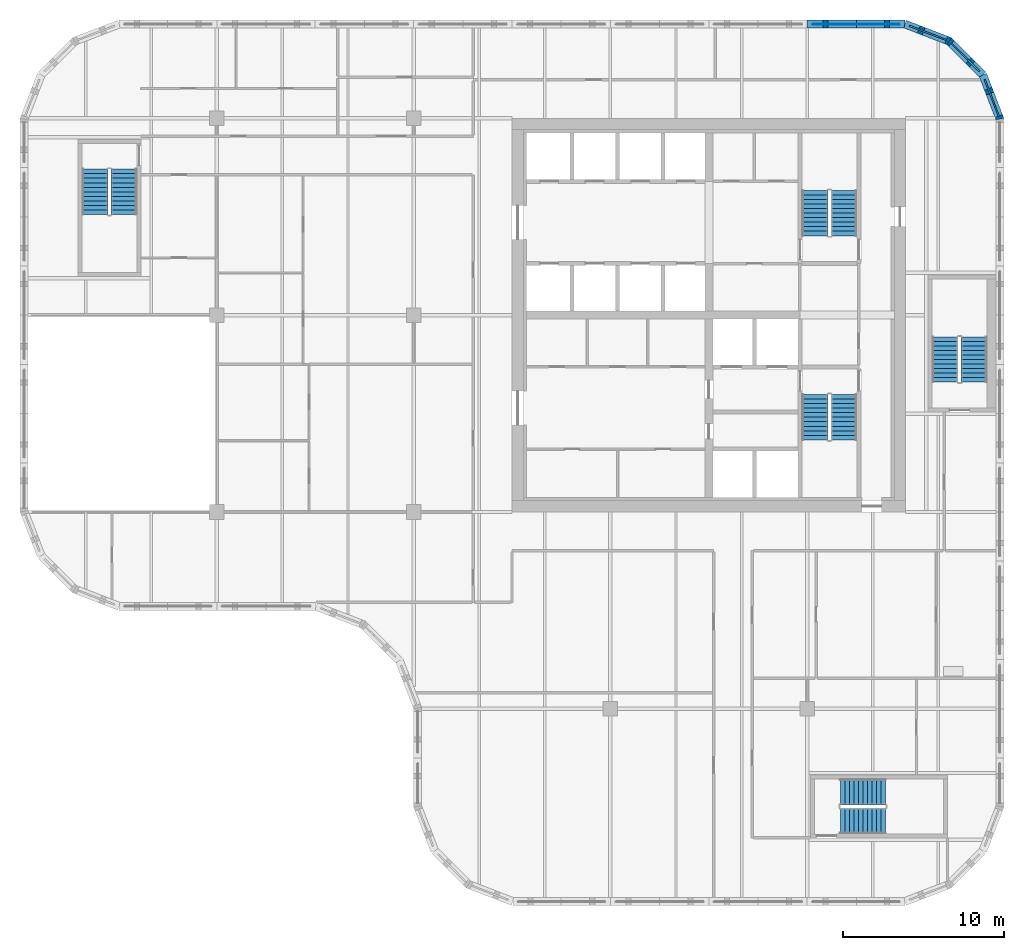
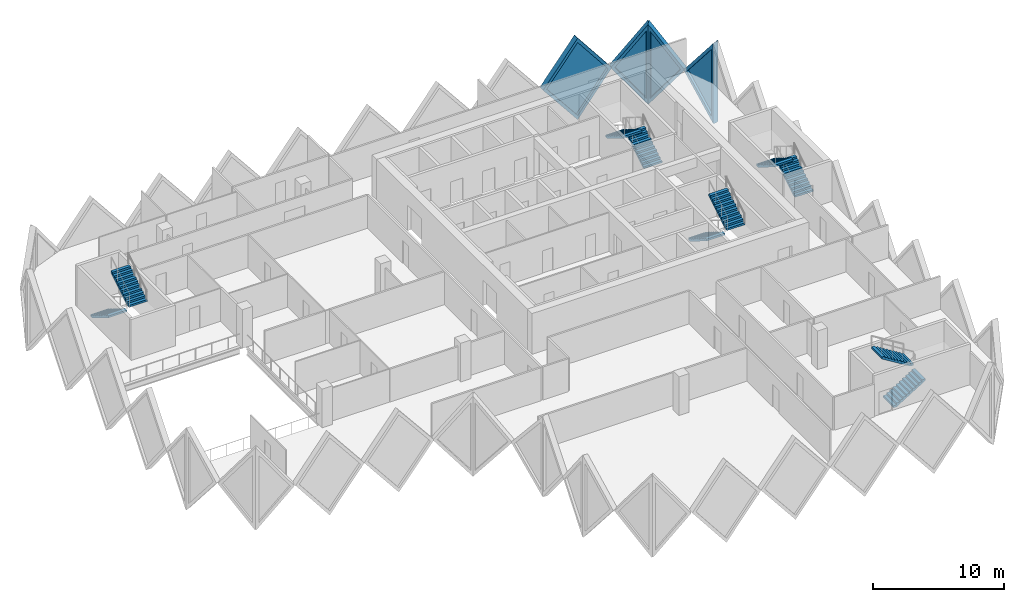
# One storey, part 10 of 12: 10 stair flights, 4 plates, 4 walls, 4 openings, 5 elements without a shape of their own.
"""IFC4 building model written with IfcOpenShell, lengths in metres."""

from ifc_helpers import new_model, si_unit, direction, frame, origin, place, context, subcontext, project, spatial, polyline, outline, extrude, faceted_brep, source, transform, mapped, material, layer, layer_set, type_object, element, fill, aggregate, save


model = new_model("IFC4")

# Units and contexts
model_context = context("Model", 3, precision=1e-05, world=origin(), true_north=direction((0.0, 1.0)))
body_context = subcontext(model_context, "Body", "Model", "MODEL_VIEW")
ifc_project = project(units=[si_unit("LENGTHUNIT", "METRE"), si_unit("AREAUNIT", "SQUARE_METRE"), si_unit("VOLUMEUNIT", "CUBIC_METRE"), si_unit("PLANEANGLEUNIT", "RADIAN"), si_unit("MASSUNIT", "GRAM", prefix="KILO")], contexts=[model_context])

# Site, building, storey
site_placement = place(None, origin())
site = spatial("IfcSite", under=ifc_project, at=site_placement, CompositionType="ELEMENT")
building_placement = place(site_placement, origin())
building = spatial("IfcBuilding", under=site, at=building_placement, Name="Tessera Gate Towers", CompositionType="ELEMENT")
storey_placement = place(building_placement, frame((0.0, 0.0, 124.0)))
storey = spatial("IfcBuildingStorey", under=building, at=storey_placement, Name="L30", CompositionType="ELEMENT", Elevation=124.0)

# Wall, opening, plate
ifc_material_1 = material(Name="Precast concrete C60/75 white", Category="concrete")
ifc_layer_1 = layer(ifc_material_1, 0.5)
ifc_layer_set_1 = layer_set([ifc_layer_1], Name="TS1 tessera")
wall_type_1 = type_object("IfcWallType", Name="TS1 tessera", PredefinedType="SOLIDWALL", material=ifc_layer_set_1)
shared_shape_1 = source(origin(), body_context, "Body", "Brep", [
    faceted_brep([(3.00341796875, -0.25, 0.0), (6.053466796875, -0.25, 3.800048828125), (3.00341796875, -0.25, 7.60009765625), (0.0, -0.25, 3.800048828125), (0.046630859375, 0.25, 3.85888671875), (3.00341796875, 0.25, 7.60009765625), (6.053466796875, 0.25, 3.800048828125), (3.00341796875, 0.25, 0.0), (0.046630859375, 0.25, 3.7412109375), (0.0, 0.0, 3.800048828125)], [[[0, 1, 2, 3]], [[4, 5, 6, 7, 8]], [[7, 6, 1, 0]], [[6, 5, 2, 1]], [[5, 4, 9, 3, 2]], [[8, 7, 0, 3, 9]], [[8, 9, 4]]]),
])
wall_1_placement = place(storey_placement, frame((54.853515625, 54.64990234375, -3.800048828125), z_axis=(0.0, 0.0, 1.0), x_axis=(-1.0, 0.0, 0.0)))
wall_1 = element("IfcWall", 1, at=wall_1_placement, inside=storey, type_object=wall_type_1, Name="Precast tessera T1 TS1-0493", PredefinedType="SOLIDWALL", context=body_context, shape_type="MappedRepresentation", body=[
    mapped(shared_shape_1, transform((0.0, 0.0, 0.0), scale=1.0)),
])
shared_shape_2 = source(origin(), body_context, "Body", "SweptSolid", [
    extrude(outline(polyline([(3.0048828125, 0.4013671875), (5.73291015625, 3.800048828125), (3.0048828125, 7.19873046875), (0.318603515625, 3.800048828125), (3.0048828125, 0.4013671875)])), frame((0.0, 0.260009765625, 0.0), z_axis=(0.0, -1.0, 0.0), x_axis=(1.0, 0.0, 0.0)), (0.0, 0.0, 1.0), 0.52001953125),
])
opening_1_placement = place(wall_1_placement, origin())
opening_1 = element("IfcOpeningElement", 2, at=opening_1_placement, cuts=wall_1, Name="Opening T1-PL2-1005", PredefinedType="OPENING", context=body_context, shape_type="MappedRepresentation", body=[
    mapped(shared_shape_2, transform((0.0, 0.0, 0.0), scale=1.0)),
])
ifc_material_2 = material(Name="Low-e laminated glass", Category="glass")
ifc_layer_2 = layer(ifc_material_2, 0.06005859375)
ifc_layer_set_2 = layer_set([ifc_layer_2], Name="PL2 rhombic pane")
plate_type = type_object("IfcPlateType", Name="PL2 rhombic pane", PredefinedType="SHEET", material=ifc_layer_set_2)
shared_shape_3 = source(origin(), body_context, "Body", "SweptSolid", [
    extrude(outline(polyline([(3.0048828125, 0.4013671875), (5.73291015625, 3.800048828125), (3.0048828125, 7.19873046875), (0.318603515625, 3.800048828125), (3.0048828125, 0.4013671875)])), frame((0.0, 0.030029296875, 0.0), z_axis=(0.0, -1.0, 0.0), x_axis=(1.0, 0.0, 0.0)), (0.0, 0.0, 1.0), 0.06005859375),
])
plate_1_placement = place(opening_1_placement, origin())
plate_1 = element("IfcPlate", 3, at=plate_1_placement, inside=storey, type_object=plate_type, Name="Glass pane T1 PL2-1005", PredefinedType="SHEET", context=body_context, shape_type="MappedRepresentation", body=[
    mapped(shared_shape_3, transform((0.0, 0.0, 0.0), scale=1.0)),
])
fill(opening_1, plate_1)

ifc_material_3 = material(Name="Precast concrete C60/75 white", Category="concrete")
ifc_layer_3 = layer(ifc_material_3, 0.5)
ifc_layer_set_3 = layer_set([ifc_layer_3], Name="TS3 corner tessera")
wall_type_2 = type_object("IfcWallType", Name="TS3 corner tessera", PredefinedType="SOLIDWALL", material=ifc_layer_set_3)
shared_shape_4 = source(origin(), body_context, "Body", "Brep", [
    faceted_brep([(0.046630859375, -0.25, 0.0), (2.9970703125, -0.25, 3.800048828125), (0.046630859375, -0.25, 7.60009765625), (0.0, -0.25, 7.541259765625), (0.0, -0.25, 0.058837890625), (0.09326171875, 0.25, 7.5400390625), (2.9443359375, 0.25, 3.8681640625), (2.9443359375, 0.25, 3.73193359375), (0.09326171875, 0.25, 0.06005859375), (2.9970703125, 0.00048828125, 3.800048828125), (0.046630859375, 0.0, 0.0), (0.046630859375, 0.0, 7.60009765625)], [[[0, 1, 2, 3, 4]], [[5, 6, 7, 8]], [[8, 7, 9, 1, 0, 10]], [[6, 5, 11, 2, 1, 9]], [[3, 2, 11]], [[10, 0, 4]], [[8, 10, 4, 3, 11, 5]], [[9, 7, 6]]]),
])
wall_2_placement = place(storey_placement, frame((60.766845703125, 48.7099609375, -3.800048828125), z_axis=(0.0, 0.0, 1.0), x_axis=(-0.359901446078, 0.932990326376, 0.0)))
wall_2 = element("IfcWall", 4, at=wall_2_placement, inside=storey, type_object=wall_type_2, Name="Precast corner tessera T1 TS3-0678", PredefinedType="SOLIDWALL", context=body_context, shape_type="MappedRepresentation", body=[
    mapped(shared_shape_4, transform((0.0, 0.0, 0.0), scale=1.0)),
])
shared_shape_5 = source(origin(), body_context, "Body", "SweptSolid", [
    extrude(outline(polyline([(0.24658203125, 0.665283203125), (2.6806640625, 3.800048828125), (0.24658203125, 6.934814453125), (0.24658203125, 0.665283203125)])), frame((0.0, 0.260009765625, 0.0), z_axis=(0.0, -1.0, 0.0), x_axis=(1.0, 0.0, 0.0)), (0.0, 0.0, 1.0), 0.52001953125),
])
opening_2_placement = place(wall_2_placement, origin())
opening_2 = element("IfcOpeningElement", 5, at=opening_2_placement, cuts=wall_2, Name="Opening T1-PL2-1002", PredefinedType="OPENING", context=body_context, shape_type="MappedRepresentation", body=[
    mapped(shared_shape_5, transform((0.0, 0.0, 0.0), scale=1.0)),
])
shared_shape_6 = source(origin(), body_context, "Body", "SweptSolid", [
    extrude(outline(polyline([(0.24658203125, 0.665283203125), (2.6806640625, 3.800048828125), (0.24658203125, 6.934814453125), (0.24658203125, 0.665283203125)])), frame((0.0, 0.030029296875, 0.0), z_axis=(0.0, -1.0, 0.0), x_axis=(1.0, 0.0, 0.0)), (0.0, 0.0, 1.0), 0.06005859375),
])
plate_2_placement = place(opening_2_placement, origin())
plate_2 = element("IfcPlate", 6, at=plate_2_placement, inside=storey, type_object=plate_type, Name="Glass pane T1 PL2-1002", PredefinedType="SHEET", context=body_context, shape_type="MappedRepresentation", body=[
    mapped(shared_shape_6, transform((0.0, 0.0, 0.0), scale=1.0)),
])
fill(opening_2, plate_2)

shared_shape_7 = source(origin(), body_context, "Body", "Brep", [
    faceted_brep([(2.944091796875, -0.25, 0.0), (2.9970703125, -0.25, 0.068115234375), (2.9970703125, -0.25, 7.531982421875), (2.944091796875, -0.25, 7.60009765625), (0.0, -0.25, 3.800048828125), (0.052978515625, 0.25, 3.868408203125), (2.89111328125, 0.25, 7.531982421875), (2.89111328125, 0.25, 0.068115234375), (0.052978515625, 0.25, 3.731689453125), (2.944091796875, 0.000244140625, 0.0), (2.944091796875, 0.000244140625, 7.60009765625), (0.0, 0.0, 3.800048828125)], [[[0, 1, 2, 3, 4]], [[5, 6, 7, 8]], [[1, 0, 9]], [[10, 3, 2]], [[6, 5, 11, 4, 3, 10]], [[8, 7, 9, 0, 4, 11]], [[8, 11, 5]], [[1, 9, 7, 6, 10, 2]]]),
])
wall_3_placement = place(storey_placement, frame((59.68798828125, 51.50634765625, -3.800048828125), z_axis=(0.0, 0.0, 1.0), x_axis=(-0.707106781187, 0.707106781187, 0.0)))
wall_3 = element("IfcWall", 7, at=wall_3_placement, inside=storey, type_object=wall_type_2, Name="Precast corner tessera T1 TS3-0679", PredefinedType="SOLIDWALL", context=body_context, shape_type="MappedRepresentation", body=[
    mapped(shared_shape_7, transform((0.0, 0.0, 0.0), scale=1.0)),
])
shared_shape_8 = source(origin(), body_context, "Body", "SweptSolid", [
    extrude(outline(polyline([(2.744140625, 6.933837890625), (0.316162109375, 3.800048828125), (2.744140625, 0.666259765625), (2.744140625, 6.933837890625)])), frame((0.0, 0.260009765625, 0.0), z_axis=(0.0, -1.0, 0.0), x_axis=(1.0, 0.0, 0.0)), (0.0, 0.0, 1.0), 0.52001953125),
])
opening_3_placement = place(wall_3_placement, origin())
opening_3 = element("IfcOpeningElement", 8, at=opening_3_placement, cuts=wall_3, Name="Opening T1-PL2-1003", PredefinedType="OPENING", context=body_context, shape_type="MappedRepresentation", body=[
    mapped(shared_shape_8, transform((0.0, 0.0, 0.0), scale=1.0)),
])
shared_shape_9 = source(origin(), body_context, "Body", "SweptSolid", [
    extrude(outline(polyline([(2.744140625, 6.933837890625), (0.316162109375, 3.800048828125), (2.744140625, 0.666259765625), (2.744140625, 6.933837890625)])), frame((0.0, 0.030029296875, 0.0), z_axis=(0.0, -1.0, 0.0), x_axis=(1.0, 0.0, 0.0)), (0.0, 0.0, 1.0), 0.06005859375),
])
plate_3_placement = place(opening_3_placement, origin())
plate_3 = element("IfcPlate", 9, at=plate_3_placement, inside=storey, type_object=plate_type, Name="Glass pane T1 PL2-1003", PredefinedType="SHEET", context=body_context, shape_type="MappedRepresentation", body=[
    mapped(shared_shape_9, transform((0.0, 0.0, 0.0), scale=1.0)),
])
fill(opening_3, plate_3)

shared_shape_10 = source(origin(), body_context, "Body", "Brep", [
    faceted_brep([(0.052978515625, -0.25, 0.0), (3.00341796875, -0.25, 3.800048828125), (0.052978515625, -0.25, 7.60009765625), (0.0, -0.25, 7.53173828125), (0.0, -0.25, 0.068359375), (0.10595703125, 0.25, 7.531982421875), (2.95703125, 0.25, 3.85986328125), (2.95703125, 0.25, 3.740234375), (0.10595703125, 0.25, 0.068115234375), (3.00341796875, 0.00048828125, 3.800048828125), (0.052978515625, 0.0, 0.0), (0.052978515625, 0.0, 7.60009765625)], [[[0, 1, 2, 3, 4]], [[5, 6, 7, 8]], [[8, 7, 9, 1, 0, 10]], [[6, 5, 11, 2, 1, 9]], [[3, 2, 11]], [[10, 0, 4]], [[8, 10, 4, 3, 11, 5]], [[9, 7, 6]]]),
])
wall_4_placement = place(storey_placement, frame((57.65576171875, 53.569091796875, -3.800048828125), z_axis=(0.0, 0.0, 1.0), x_axis=(-0.933007896601, 0.359855894603, 0.0)))
wall_4 = element("IfcWall", 10, at=wall_4_placement, inside=storey, type_object=wall_type_2, Name="Precast corner tessera T1 TS3-0680", PredefinedType="SOLIDWALL", context=body_context, shape_type="MappedRepresentation", body=[
    mapped(shared_shape_10, transform((0.0, 0.0, 0.0), scale=1.0)),
])
shared_shape_11 = source(origin(), body_context, "Body", "SweptSolid", [
    extrude(outline(polyline([(0.2529296875, 0.665283203125), (2.68701171875, 3.800048828125), (0.2529296875, 6.934814453125), (0.2529296875, 0.665283203125)])), frame((0.0, 0.260009765625, 0.0), z_axis=(0.0, -1.0, 0.0), x_axis=(1.0, 0.0, 0.0)), (0.0, 0.0, 1.0), 0.52001953125),
])
opening_4_placement = place(wall_4_placement, origin())
opening_4 = element("IfcOpeningElement", 11, at=opening_4_placement, cuts=wall_4, Name="Opening T1-PL2-1004", PredefinedType="OPENING", context=body_context, shape_type="MappedRepresentation", body=[
    mapped(shared_shape_11, transform((0.0, 0.0, 0.0), scale=1.0)),
])
shared_shape_12 = source(origin(), body_context, "Body", "SweptSolid", [
    extrude(outline(polyline([(0.2529296875, 0.665283203125), (2.68701171875, 3.800048828125), (0.2529296875, 6.934814453125), (0.2529296875, 0.665283203125)])), frame((0.0, 0.030029296875, 0.0), z_axis=(0.0, -1.0, 0.0), x_axis=(1.0, 0.0, 0.0)), (0.0, 0.0, 1.0), 0.06005859375),
])
plate_4_placement = place(opening_4_placement, origin())
plate_4 = element("IfcPlate", 12, at=plate_4_placement, inside=storey, type_object=plate_type, Name="Glass pane T1 PL2-1004", PredefinedType="SHEET", context=body_context, shape_type="MappedRepresentation", body=[
    mapped(shared_shape_12, transform((0.0, 0.0, 0.0), scale=1.0)),
])
fill(opening_4, plate_4)

# Stair, stair flights
ifc_material_4 = material(Name="Concrete C40/50", Category="concrete")
stair_type_1 = type_object("IfcStairType", Name="EXIT STAIR ST1 1600", PredefinedType="HALF_TURN_STAIR", material=ifc_material_4)
stair_1_placement = place(storey_placement, origin())
stair_1 = element("IfcStair", 13, at=stair_1_placement, inside=storey, type_object=stair_type_1, Name="L30 Protected Exit Stair ST1", PredefinedType="HALF_TURN_STAIR")
ifc_material_5 = material(Name="Concrete C40/50", Category="concrete")
stair_flight_type_1 = type_object("IfcStairFlightType", Name="EXIT STAIR FLIGHT ST1 1600", PredefinedType="STRAIGHT", material=ifc_material_5)
stair_flight_1_placement = place(storey_placement, frame((49.27490234375, 31.675048828125, 0.0), z_axis=(0.0, 0.0, 1.0), x_axis=(0.0, -1.0, 0.0)))
stair_flight_1 = element("IfcStairFlight", 14, at=stair_flight_1_placement, type_object=stair_flight_type_1, Name="ST1 flight 1", NumberOfRisers=11, NumberOfTreads=10, PredefinedType="STRAIGHT", RiserHeight=0.172727273, TreadLength=0.28, context=body_context, shape_type="SweptSolid", body=[
    extrude(outline(polyline([(0.0, 0.0), (0.0, 0.172607421875), (0.280029296875, 0.172607421875), (0.280029296875, 0.345458984375), (0.56005859375, 0.345458984375), (0.56005859375, 0.51806640625), (0.840087890625, 0.51806640625), (0.840087890625, 0.69091796875), (1.1201171875, 0.69091796875), (1.1201171875, 0.863525390625), (1.39990234375, 0.863525390625), (1.39990234375, 1.036376953125), (1.679931640625, 1.036376953125), (1.679931640625, 1.208984375), (1.9599609375, 1.208984375), (1.9599609375, 1.3818359375), (2.239990234375, 1.3818359375), (2.239990234375, 1.554443359375), (2.52001953125, 1.554443359375), (2.52001953125, 1.727294921875), (2.800048828125, 1.727294921875), (2.800048828125, 1.89990234375), (2.800048828125, 1.551025390625), (0.285400390625, 0.0), (0.0, 0.0)])), frame((0.0, 0.800048828125, 0.0), z_axis=(0.0, -1.0, 0.0), x_axis=(1.0, 0.0, 0.0)), (0.0, 0.0, 1.0), 1.60009765625),
])
stair_flight_2_placement = place(storey_placement, frame((51.074951171875, 28.875, 1.89990234375), z_axis=(0.0, 0.0, 1.0), x_axis=(0.0, 1.0, 0.0)))
stair_flight_2 = element("IfcStairFlight", 15, at=stair_flight_2_placement, type_object=stair_flight_type_1, Name="ST1 flight 2", NumberOfRisers=11, NumberOfTreads=10, PredefinedType="STRAIGHT", RiserHeight=0.172727273, TreadLength=0.28, context=body_context, shape_type="SweptSolid", body=[
    extrude(outline(polyline([(0.0, 0.0), (0.0, 0.172607421875), (0.280029296875, 0.172607421875), (0.280029296875, 0.345458984375), (0.56005859375, 0.345458984375), (0.56005859375, 0.51806640625), (0.840087890625, 0.51806640625), (0.840087890625, 0.69091796875), (1.1201171875, 0.69091796875), (1.1201171875, 0.863525390625), (1.39990234375, 0.863525390625), (1.39990234375, 1.036376953125), (1.679931640625, 1.036376953125), (1.679931640625, 1.208984375), (1.9599609375, 1.208984375), (1.9599609375, 1.3818359375), (2.239990234375, 1.3818359375), (2.239990234375, 1.554443359375), (2.52001953125, 1.554443359375), (2.52001953125, 1.727294921875), (2.800048828125, 1.727294921875), (2.800048828125, 1.89990234375), (2.800048828125, 1.551025390625), (0.285400390625, 0.0), (0.0, 0.0)])), frame((0.0, 0.800048828125, 0.0), z_axis=(0.0, -1.0, 0.0), x_axis=(1.0, 0.0, 0.0)), (0.0, 0.0, 1.0), 1.60009765625),
])
aggregate(stair_1, [stair_flight_1, stair_flight_2])

ifc_material_6 = material(Name="Concrete C40/50", Category="concrete")
stair_type_2 = type_object("IfcStairType", Name="EXIT STAIR ST2 1600", PredefinedType="HALF_TURN_STAIR", material=ifc_material_6)
stair_2_placement = place(storey_placement, origin())
stair_2 = element("IfcStair", 16, at=stair_2_placement, inside=storey, type_object=stair_type_2, Name="L30 Protected Exit Stair ST2", PredefinedType="HALF_TURN_STAIR")
ifc_material_7 = material(Name="Concrete C40/50", Category="concrete")
stair_flight_type_2 = type_object("IfcStairFlightType", Name="EXIT STAIR FLIGHT ST2 1600", PredefinedType="STRAIGHT", material=ifc_material_7)
stair_flight_3_placement = place(storey_placement, frame((51.074951171875, 41.52490234375, 0.0), z_axis=(0.0, 0.0, 1.0), x_axis=(0.0, 1.0, 0.0)))
stair_flight_3 = element("IfcStairFlight", 17, at=stair_flight_3_placement, type_object=stair_flight_type_2, Name="ST2 flight 1", NumberOfRisers=11, NumberOfTreads=10, PredefinedType="STRAIGHT", RiserHeight=0.172727273, TreadLength=0.28, context=body_context, shape_type="SweptSolid", body=[
    extrude(outline(polyline([(0.0, 0.0), (0.0, 0.172607421875), (0.280029296875, 0.172607421875), (0.280029296875, 0.345458984375), (0.56005859375, 0.345458984375), (0.56005859375, 0.51806640625), (0.840087890625, 0.51806640625), (0.840087890625, 0.69091796875), (1.1201171875, 0.69091796875), (1.1201171875, 0.863525390625), (1.39990234375, 0.863525390625), (1.39990234375, 1.036376953125), (1.679931640625, 1.036376953125), (1.679931640625, 1.208984375), (1.9599609375, 1.208984375), (1.9599609375, 1.3818359375), (2.239990234375, 1.3818359375), (2.239990234375, 1.554443359375), (2.52001953125, 1.554443359375), (2.52001953125, 1.727294921875), (2.800048828125, 1.727294921875), (2.800048828125, 1.89990234375), (2.800048828125, 1.551025390625), (0.285400390625, 0.0), (0.0, 0.0)])), frame((0.0, 0.800048828125, 0.0), z_axis=(0.0, -1.0, 0.0), x_axis=(1.0, 0.0, 0.0)), (0.0, 0.0, 1.0), 1.60009765625),
])
stair_flight_4_placement = place(storey_placement, frame((49.27490234375, 44.324951171875, 1.89990234375), z_axis=(0.0, 0.0, 1.0), x_axis=(0.0, -1.0, 0.0)))
stair_flight_4 = element("IfcStairFlight", 18, at=stair_flight_4_placement, type_object=stair_flight_type_2, Name="ST2 flight 2", NumberOfRisers=11, NumberOfTreads=10, PredefinedType="STRAIGHT", RiserHeight=0.172727273, TreadLength=0.28, context=body_context, shape_type="SweptSolid", body=[
    extrude(outline(polyline([(0.0, 0.0), (0.0, 0.172607421875), (0.280029296875, 0.172607421875), (0.280029296875, 0.345458984375), (0.56005859375, 0.345458984375), (0.56005859375, 0.51806640625), (0.840087890625, 0.51806640625), (0.840087890625, 0.69091796875), (1.1201171875, 0.69091796875), (1.1201171875, 0.863525390625), (1.39990234375, 0.863525390625), (1.39990234375, 1.036376953125), (1.679931640625, 1.036376953125), (1.679931640625, 1.208984375), (1.9599609375, 1.208984375), (1.9599609375, 1.3818359375), (2.239990234375, 1.3818359375), (2.239990234375, 1.554443359375), (2.52001953125, 1.554443359375), (2.52001953125, 1.727294921875), (2.800048828125, 1.727294921875), (2.800048828125, 1.89990234375), (2.800048828125, 1.551025390625), (0.285400390625, 0.0), (0.0, 0.0)])), frame((0.0, 0.800048828125, 0.0), z_axis=(0.0, -1.0, 0.0), x_axis=(1.0, 0.0, 0.0)), (0.0, 0.0, 1.0), 1.60009765625),
])
aggregate(stair_2, [stair_flight_3, stair_flight_4])

ifc_material_8 = material(Name="Concrete C40/50", Category="concrete")
stair_type_3 = type_object("IfcStairType", Name="EXIT STAIR ST3 1600", PredefinedType="HALF_TURN_STAIR", material=ifc_material_8)
stair_3_placement = place(storey_placement, origin())
stair_3 = element("IfcStair", 19, at=stair_3_placement, inside=storey, type_object=stair_type_3, Name="L30 West Exit Stair ST3", PredefinedType="HALF_TURN_STAIR")
ifc_material_9 = material(Name="Concrete C40/50", Category="concrete")
stair_flight_type_3 = type_object("IfcStairFlightType", Name="EXIT STAIR FLIGHT ST3 1600", PredefinedType="STRAIGHT", material=ifc_material_9)
stair_flight_5_placement = place(storey_placement, frame((4.64990234375, 45.64990234375, 0.0), z_axis=(0.0, 0.0, 1.0), x_axis=(0.0, -1.0, 0.0)))
stair_flight_5 = element("IfcStairFlight", 20, at=stair_flight_5_placement, type_object=stair_flight_type_3, Name="ST3 flight 1", NumberOfRisers=11, NumberOfTreads=10, PredefinedType="STRAIGHT", RiserHeight=0.172727273, TreadLength=0.28, context=body_context, shape_type="SweptSolid", body=[
    extrude(outline(polyline([(0.0, 0.0), (0.0, 0.172607421875), (0.280029296875, 0.172607421875), (0.280029296875, 0.345458984375), (0.56005859375, 0.345458984375), (0.56005859375, 0.51806640625), (0.840087890625, 0.51806640625), (0.840087890625, 0.69091796875), (1.1201171875, 0.69091796875), (1.1201171875, 0.863525390625), (1.39990234375, 0.863525390625), (1.39990234375, 1.036376953125), (1.679931640625, 1.036376953125), (1.679931640625, 1.208984375), (1.9599609375, 1.208984375), (1.9599609375, 1.3818359375), (2.239990234375, 1.3818359375), (2.239990234375, 1.554443359375), (2.52001953125, 1.554443359375), (2.52001953125, 1.727294921875), (2.800048828125, 1.727294921875), (2.800048828125, 1.89990234375), (2.800048828125, 1.551025390625), (0.285400390625, 0.0), (0.0, 0.0)])), frame((0.0, 0.800048828125, 0.0), z_axis=(0.0, -1.0, 0.0), x_axis=(1.0, 0.0, 0.0)), (0.0, 0.0, 1.0), 1.60009765625),
])
stair_flight_6_placement = place(storey_placement, frame((6.449951171875, 42.85009765625, 1.89990234375), z_axis=(0.0, 0.0, 1.0), x_axis=(0.0, 1.0, 0.0)))
stair_flight_6 = element("IfcStairFlight", 21, at=stair_flight_6_placement, type_object=stair_flight_type_3, Name="ST3 flight 2", NumberOfRisers=11, NumberOfTreads=10, PredefinedType="STRAIGHT", RiserHeight=0.172727273, TreadLength=0.28, context=body_context, shape_type="SweptSolid", body=[
    extrude(outline(polyline([(0.0, 0.0), (0.0, 0.172607421875), (0.280029296875, 0.172607421875), (0.280029296875, 0.345458984375), (0.56005859375, 0.345458984375), (0.56005859375, 0.51806640625), (0.840087890625, 0.51806640625), (0.840087890625, 0.69091796875), (1.1201171875, 0.69091796875), (1.1201171875, 0.863525390625), (1.39990234375, 0.863525390625), (1.39990234375, 1.036376953125), (1.679931640625, 1.036376953125), (1.679931640625, 1.208984375), (1.9599609375, 1.208984375), (1.9599609375, 1.3818359375), (2.239990234375, 1.3818359375), (2.239990234375, 1.554443359375), (2.52001953125, 1.554443359375), (2.52001953125, 1.727294921875), (2.800048828125, 1.727294921875), (2.800048828125, 1.89990234375), (2.800048828125, 1.551025390625), (0.285400390625, 0.0), (0.0, 0.0)])), frame((0.0, 0.800048828125, 0.0), z_axis=(0.0, -1.0, 0.0), x_axis=(1.0, 0.0, 0.0)), (0.0, 0.0, 1.0), 1.60009765625),
])
aggregate(stair_3, [stair_flight_5, stair_flight_6])

ifc_material_10 = material(Name="Concrete C40/50", Category="concrete")
stair_type_4 = type_object("IfcStairType", Name="EXIT STAIR ST4 1600", PredefinedType="HALF_TURN_STAIR", material=ifc_material_10)
stair_4_placement = place(storey_placement, origin())
stair_4 = element("IfcStair", 22, at=stair_4_placement, inside=storey, type_object=stair_type_4, Name="L30 South Exit Stair ST4", PredefinedType="HALF_TURN_STAIR")
ifc_material_11 = material(Name="Concrete C40/50", Category="concrete")
stair_flight_type_4 = type_object("IfcStairFlightType", Name="EXIT STAIR FLIGHT ST4 1600", PredefinedType="STRAIGHT", material=ifc_material_11)
stair_flight_7_placement = place(storey_placement, frame((50.85009765625, 5.25, 0.0), z_axis=(0.0, 0.0, 1.0), x_axis=(1.0, 0.0, 0.0)))
stair_flight_7 = element("IfcStairFlight", 23, at=stair_flight_7_placement, type_object=stair_flight_type_4, Name="ST4 flight 1", NumberOfRisers=11, NumberOfTreads=10, PredefinedType="STRAIGHT", RiserHeight=0.172727273, TreadLength=0.28, context=body_context, shape_type="SweptSolid", body=[
    extrude(outline(polyline([(0.0, 0.0), (0.0, 0.172607421875), (0.280029296875, 0.172607421875), (0.280029296875, 0.345458984375), (0.56005859375, 0.345458984375), (0.56005859375, 0.51806640625), (0.840087890625, 0.51806640625), (0.840087890625, 0.69091796875), (1.1201171875, 0.69091796875), (1.1201171875, 0.863525390625), (1.39990234375, 0.863525390625), (1.39990234375, 1.036376953125), (1.679931640625, 1.036376953125), (1.679931640625, 1.208984375), (1.9599609375, 1.208984375), (1.9599609375, 1.3818359375), (2.239990234375, 1.3818359375), (2.239990234375, 1.554443359375), (2.52001953125, 1.554443359375), (2.52001953125, 1.727294921875), (2.800048828125, 1.727294921875), (2.800048828125, 1.89990234375), (2.800048828125, 1.551025390625), (0.285400390625, 0.0), (0.0, 0.0)])), frame((0.0, 0.800048828125, 0.0), z_axis=(0.0, -1.0, 0.0), x_axis=(1.0, 0.0, 0.0)), (0.0, 0.0, 1.0), 1.60009765625),
])
stair_flight_8_placement = place(storey_placement, frame((53.64990234375, 7.050048828125, 1.89990234375), z_axis=(0.0, 0.0, 1.0), x_axis=(-1.0, 0.0, 0.0)))
stair_flight_8 = element("IfcStairFlight", 24, at=stair_flight_8_placement, type_object=stair_flight_type_4, Name="ST4 flight 2", NumberOfRisers=11, NumberOfTreads=10, PredefinedType="STRAIGHT", RiserHeight=0.172727273, TreadLength=0.28, context=body_context, shape_type="SweptSolid", body=[
    extrude(outline(polyline([(0.0, 0.0), (0.0, 0.172607421875), (0.280029296875, 0.172607421875), (0.280029296875, 0.345458984375), (0.56005859375, 0.345458984375), (0.56005859375, 0.51806640625), (0.840087890625, 0.51806640625), (0.840087890625, 0.69091796875), (1.1201171875, 0.69091796875), (1.1201171875, 0.863525390625), (1.39990234375, 0.863525390625), (1.39990234375, 1.036376953125), (1.679931640625, 1.036376953125), (1.679931640625, 1.208984375), (1.9599609375, 1.208984375), (1.9599609375, 1.3818359375), (2.239990234375, 1.3818359375), (2.239990234375, 1.554443359375), (2.52001953125, 1.554443359375), (2.52001953125, 1.727294921875), (2.800048828125, 1.727294921875), (2.800048828125, 1.89990234375), (2.800048828125, 1.551025390625), (0.285400390625, 0.0), (0.0, 0.0)])), frame((0.0, 0.800048828125, 0.0), z_axis=(0.0, -1.0, 0.0), x_axis=(1.0, 0.0, 0.0)), (0.0, 0.0, 1.0), 1.60009765625),
])
aggregate(stair_4, [stair_flight_7, stair_flight_8])

ifc_material_12 = material(Name="Concrete C40/50", Category="concrete")
stair_type_5 = type_object("IfcStairType", Name="EXIT STAIR ST5 1600", PredefinedType="HALF_TURN_STAIR", material=ifc_material_12)
stair_5_placement = place(storey_placement, origin())
stair_5 = element("IfcStair", 25, at=stair_5_placement, inside=storey, type_object=stair_type_5, Name="L30 East Exit Stair ST5", PredefinedType="HALF_TURN_STAIR")
ifc_material_13 = material(Name="Concrete C40/50", Category="concrete")
stair_flight_type_5 = type_object("IfcStairFlightType", Name="EXIT STAIR FLIGHT ST5 1600", PredefinedType="STRAIGHT", material=ifc_material_13)
stair_flight_9_placement = place(storey_placement, frame((59.14990234375, 32.449951171875, 0.0), z_axis=(0.0, 0.0, 1.0), x_axis=(0.0, 1.0, 0.0)))
stair_flight_9 = element("IfcStairFlight", 26, at=stair_flight_9_placement, type_object=stair_flight_type_5, Name="ST5 flight 1", NumberOfRisers=11, NumberOfTreads=10, PredefinedType="STRAIGHT", RiserHeight=0.172727273, TreadLength=0.28, context=body_context, shape_type="SweptSolid", body=[
    extrude(outline(polyline([(0.0, 0.0), (0.0, 0.172607421875), (0.280029296875, 0.172607421875), (0.280029296875, 0.345458984375), (0.56005859375, 0.345458984375), (0.56005859375, 0.51806640625), (0.840087890625, 0.51806640625), (0.840087890625, 0.69091796875), (1.1201171875, 0.69091796875), (1.1201171875, 0.863525390625), (1.39990234375, 0.863525390625), (1.39990234375, 1.036376953125), (1.679931640625, 1.036376953125), (1.679931640625, 1.208984375), (1.9599609375, 1.208984375), (1.9599609375, 1.3818359375), (2.239990234375, 1.3818359375), (2.239990234375, 1.554443359375), (2.52001953125, 1.554443359375), (2.52001953125, 1.727294921875), (2.800048828125, 1.727294921875), (2.800048828125, 1.89990234375), (2.800048828125, 1.551025390625), (0.285400390625, 0.0), (0.0, 0.0)])), frame((0.0, 0.800048828125, 0.0), z_axis=(0.0, -1.0, 0.0), x_axis=(1.0, 0.0, 0.0)), (0.0, 0.0, 1.0), 1.60009765625),
])
stair_flight_10_placement = place(storey_placement, frame((57.35009765625, 35.25, 1.89990234375), z_axis=(0.0, 0.0, 1.0), x_axis=(0.0, -1.0, 0.0)))
stair_flight_10 = element("IfcStairFlight", 27, at=stair_flight_10_placement, type_object=stair_flight_type_5, Name="ST5 flight 2", NumberOfRisers=11, NumberOfTreads=10, PredefinedType="STRAIGHT", RiserHeight=0.172727273, TreadLength=0.28, context=body_context, shape_type="SweptSolid", body=[
    extrude(outline(polyline([(0.0, 0.0), (0.0, 0.172607421875), (0.280029296875, 0.172607421875), (0.280029296875, 0.345458984375), (0.56005859375, 0.345458984375), (0.56005859375, 0.51806640625), (0.840087890625, 0.51806640625), (0.840087890625, 0.69091796875), (1.1201171875, 0.69091796875), (1.1201171875, 0.863525390625), (1.39990234375, 0.863525390625), (1.39990234375, 1.036376953125), (1.679931640625, 1.036376953125), (1.679931640625, 1.208984375), (1.9599609375, 1.208984375), (1.9599609375, 1.3818359375), (2.239990234375, 1.3818359375), (2.239990234375, 1.554443359375), (2.52001953125, 1.554443359375), (2.52001953125, 1.727294921875), (2.800048828125, 1.727294921875), (2.800048828125, 1.89990234375), (2.800048828125, 1.551025390625), (0.285400390625, 0.0), (0.0, 0.0)])), frame((0.0, 0.800048828125, 0.0), z_axis=(0.0, -1.0, 0.0), x_axis=(1.0, 0.0, 0.0)), (0.0, 0.0, 1.0), 1.60009765625),
])
aggregate(stair_5, [stair_flight_9, stair_flight_10])

save(model, "model.ifc")
